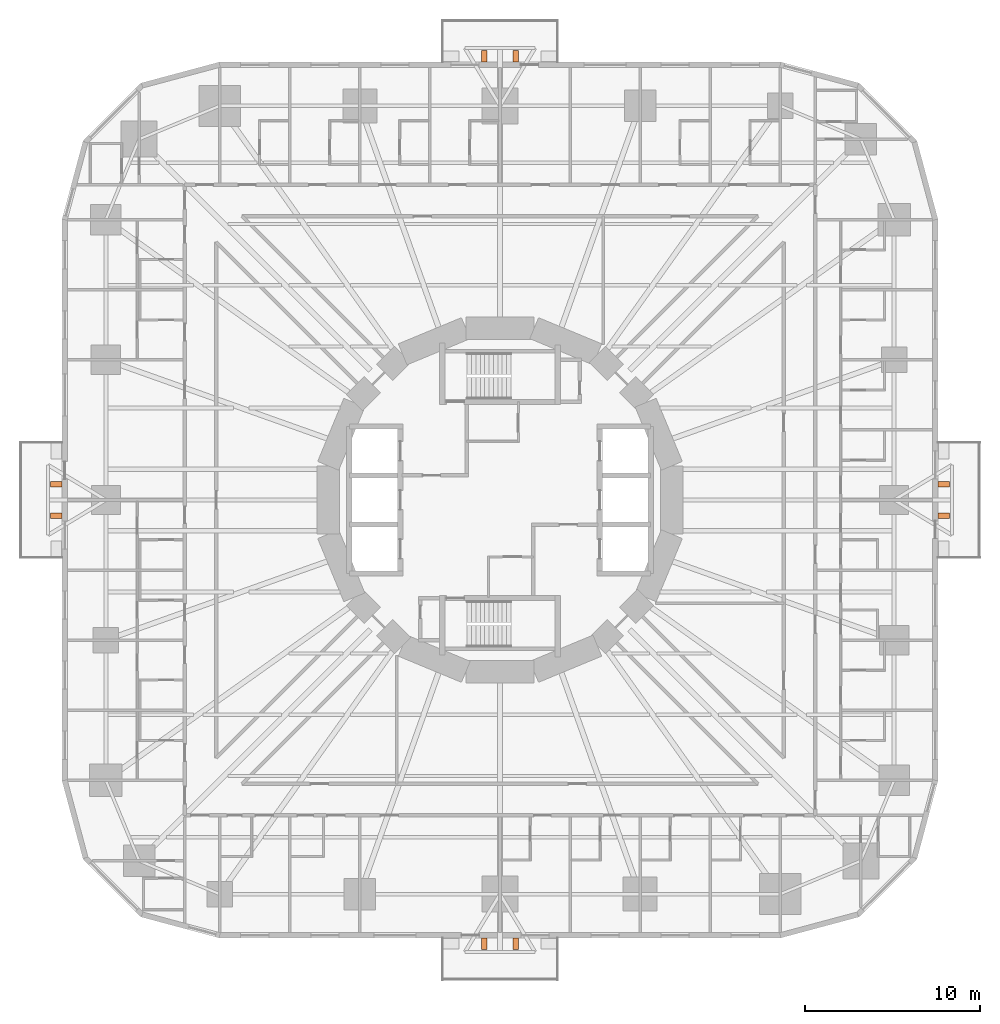
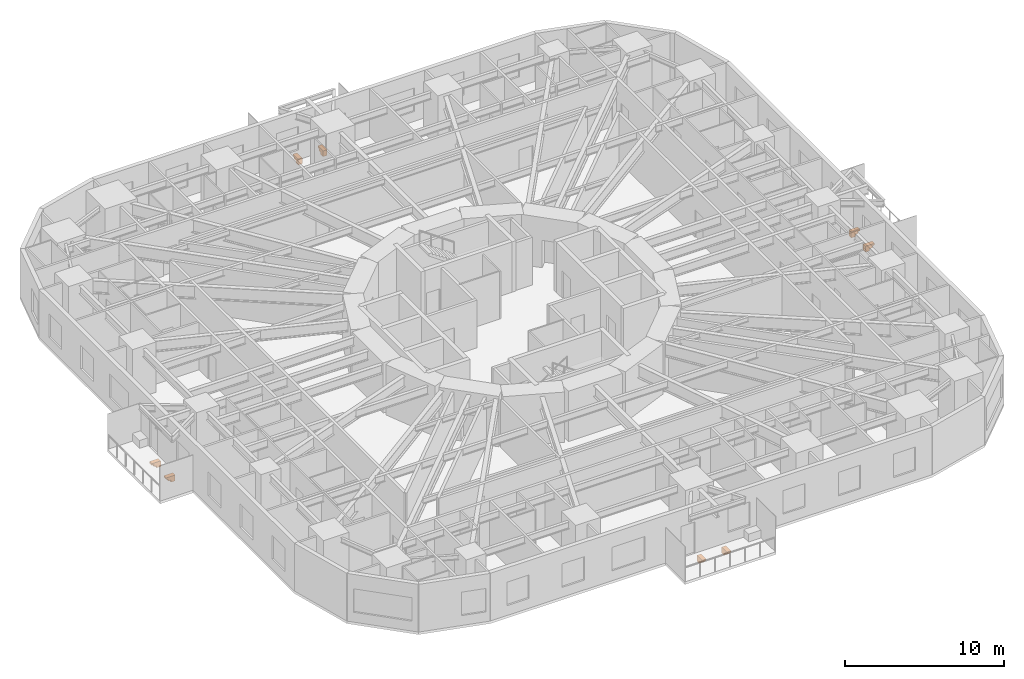
# One storey, part 14 of 14: 8 proxies.
"""IFC4 building model written with IfcOpenShell, lengths in metres."""

from ifc_helpers import new_model, si_unit, direction, frame, origin, place, context, subcontext, project, spatial, polyline, outline, extrude, material, type_object, element, save


model = new_model("IFC4")

# Units and contexts
model_context = context("Model", 3, precision=1e-05, world=origin(), true_north=direction((0.0, 1.0)))
body_context = subcontext(model_context, "Body", "Model", "MODEL_VIEW")
ifc_project = project(units=[si_unit("LENGTHUNIT", "METRE"), si_unit("AREAUNIT", "SQUARE_METRE"), si_unit("VOLUMEUNIT", "CUBIC_METRE"), si_unit("PLANEANGLEUNIT", "RADIAN"), si_unit("MASSUNIT", "GRAM", prefix="KILO")], contexts=[model_context])

# Site, building, storey
site_placement = place(None, origin())
site = spatial("IfcSite", under=ifc_project, at=site_placement, CompositionType="ELEMENT")
building_placement = place(site_placement, origin())
building = spatial("IfcBuilding", under=site, at=building_placement, Name="Nakasero Lantern House", CompositionType="ELEMENT")
storey_placement = place(building_placement, frame((0.0, 0.0, 42.949951171875)))
storey = spatial("IfcBuildingStorey", under=building, at=storey_placement, Name="L10", CompositionType="ELEMENT", Elevation=42.949951171875)

# Proxies
ifc_material = material(Name="Concrete C40/50 precast", Category="concrete")
building_element_proxy_type = type_object("IfcBuildingElementProxyType", Name="Balcony bracket 300", PredefinedType="USERDEFINED", material=ifc_material)
for number, where, z_axis, x_axis, name in (
    (1, (25.0, -0.89990234375, -0.199951171875), (0.0, 0.0, 1.0), (1.0, 0.0, 0.0), "Balcony bracket L10 0A"),
    (2, (25.0, 0.89990234375, -0.199951171875), (0.0, 0.0, 1.0), (1.0, 0.0, 0.0), "Balcony bracket L10 0B"),
    (3, (0.89990234375, 25.0, -0.199951171875), (0.0, 0.0, 1.0), (0.0, 1.0, 0.0), "Balcony bracket L10 1A"),
    (4, (-0.89990234375, 25.0, -0.199951171875), (0.0, 0.0, 1.0), (0.0, 1.0, 0.0), "Balcony bracket L10 1B"),
    (5, (-25.0, 0.89990234375, -0.199951171875), (0.0, 0.0, 1.0), (-1.0, 0.0, 0.0), "Balcony bracket L10 2A"),
    (6, (-25.0, -0.89990234375, -0.199951171875), (0.0, 0.0, 1.0), (-1.0, 0.0, 0.0), "Balcony bracket L10 2B"),
    (7, (-0.89990234375, -25.0, -0.199951171875), (0.0, 0.0, 1.0), (0.0, -1.0, 0.0), "Balcony bracket L10 3A"),
    (8, (0.89990234375, -25.0, -0.199951171875), (0.0, 0.0, 1.0), (0.0, -1.0, 0.0), "Balcony bracket L10 3B"),
):
    element("IfcBuildingElementProxy", number, at=place(storey_placement, frame(where, z_axis=z_axis, x_axis=x_axis)), inside=storey, type_object=building_element_proxy_type, Name=name, ObjectType="BALCONY BRACKET", PredefinedType="USERDEFINED", context=body_context, shape_type="SweptSolid", body=[
        extrude(outline(polyline([(0.0, 0.0), (0.64990234375, 0.0), (0.64990234375, -0.1201171875), (0.5, -0.1201171875), (0.5, -0.280029296875), (0.300048828125, -0.280029296875), (0.300048828125, -0.43994140625), (0.0, -0.43994140625), (0.0, 0.0)])), frame((0.0, 0.14990234375, 0.0), z_axis=(0.0, -1.0, 0.0), x_axis=(1.0, 0.0, 0.0)), (0.0, 0.0, 1.0), 0.300048828125),
    ])

save(model, "model.ifc")
